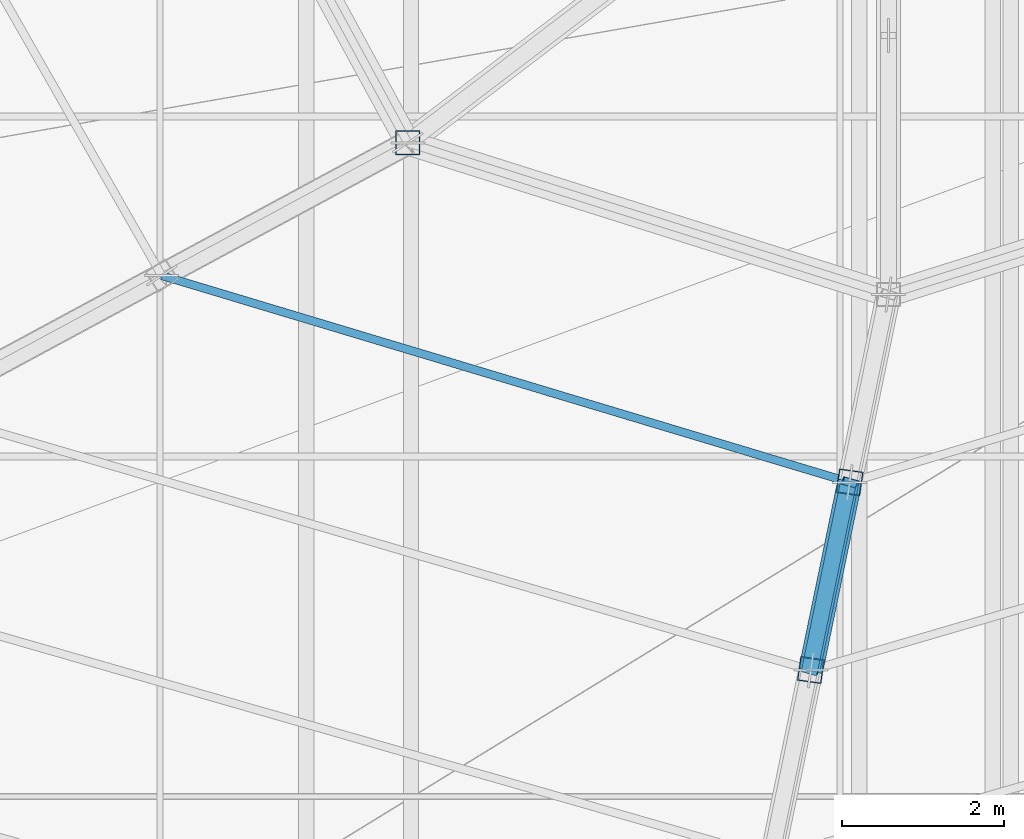
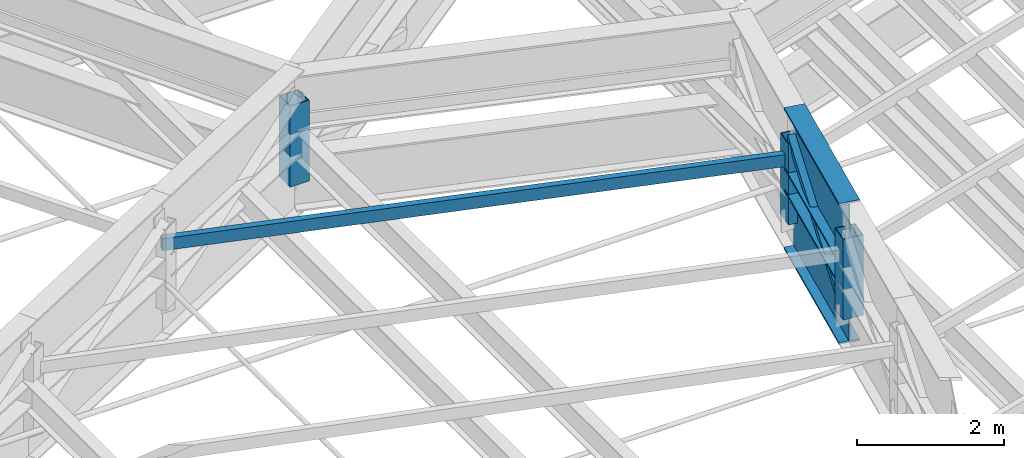
# One storey, part 53 of 184: 5 members, 2 beams.
"""IFC4 building model written with IfcOpenShell, lengths in metres."""

from ifc_helpers import new_model, si_unit, direction, frame, origin, origin_2d, place, context, subcontext, project, spatial, hollow_rectangle, i_section, extrude, material, material_profile, profile_set, type_object, element, save


model = new_model("IFC4")

# Units and contexts
model_context = context("Model", 3, precision=1e-05, world=origin(), true_north=direction((0.0, 1.0)))
body_context = subcontext(model_context, "Body", "Model", "MODEL_VIEW")
ifc_project = project(units=[si_unit("LENGTHUNIT", "METRE"), si_unit("AREAUNIT", "SQUARE_METRE"), si_unit("VOLUMEUNIT", "CUBIC_METRE"), si_unit("PLANEANGLEUNIT", "RADIAN"), si_unit("MASSUNIT", "GRAM", prefix="KILO")], contexts=[model_context])

# Site, building, storey
site_placement = place(None, origin())
site = spatial("IfcSite", under=ifc_project, at=site_placement, CompositionType="ELEMENT")
building_placement = place(site_placement, origin())
building = spatial("IfcBuilding", under=site, at=building_placement, Name="Kalgoora Escarpment Arena", CompositionType="ELEMENT")
storey_placement = place(building_placement, frame((0.0, 0.0, 27.60009765625)))
storey = spatial("IfcBuildingStorey", under=building, at=storey_placement, Name="Roof Level", CompositionType="ELEMENT", Elevation=27.60009765625)

# Beams
ifc_material_1 = material(Name="Structural steel Grade 350 (350 MPa)", Category="steel")
ifc_material_profile_1 = material_profile(ifc_material_1, i_section(OverallWidth=0.300048828125, OverallDepth=1.010009765625, WebThickness=0.01611328125, FlangeThickness=0.030029296875, at=origin_2d()))
ifc_profile_set_1 = profile_set([ifc_material_profile_1], Name="Structural steel Grade 350 (350 MPa)")
beam_type = type_object("IfcBeamType", Name="BM-TRUSS-CHORD", PredefinedType="USERDEFINED", material=ifc_profile_set_1)
for number, where, z_axis, x_axis, name in (
    (1, (96.237548828125, 52.9482421875, -1.610107421875), (0.202605139089, 0.979258172266, 0.002142350413), (-0.979260419507, 0.202605604036, 0.0), "Radial ROOF TRUSS spine 7 bottom chord 10"),
    (2, (96.237548828125, 52.9482421875, -0.27001953125), (0.202603831774, 0.979251853575, 0.004182657151), (-0.979260419507, 0.202605604036, 0.0), "Radial ROOF TRUSS spine 7 top chord 10"),
):
    element("IfcBeam", number, at=place(storey_placement, frame(where, z_axis=z_axis, x_axis=x_axis)), inside=storey, type_object=beam_type, Name=name, ObjectType="GIRDER", PredefinedType="USERDEFINED", context=body_context, shape_type="SweptSolid", body=[
        extrude(i_section(OverallWidth=0.300048828125, OverallDepth=1.010009765625, WebThickness=0.01611328125, FlangeThickness=0.030029296875, at=origin_2d()), origin(), (0.0, 0.0, 1.0), 2.39306640625),
    ])

# Members
ifc_material_2 = material(Name="Structural steel C350 (350 MPa)", Category="steel")
ifc_material_profile_2 = material_profile(ifc_material_2, hollow_rectangle(XDim=0.10009765625, YDim=0.199951171875, WallThickness=0.009033203125, at=origin_2d()))
ifc_profile_set_2 = profile_set([ifc_material_profile_2], Name="Structural steel C350 (350 MPa)")
member_type_1 = type_object("IfcMemberType", Name="MEM-PURLIN-RHS", PredefinedType="PURLIN", material=ifc_profile_set_2)
member_1_placement = place(storey_placement, frame((88.220703125, 57.833984375, -0.610107421875), z_axis=(0.957696715528, -0.28777943128, 0.0), x_axis=(0.28777943128, 0.957696715528, 0.0)))
element("IfcMember", 3, at=member_1_placement, inside=storey, type_object=member_type_1, Name="Roof circumferential purlin ring 10 sector 6", PredefinedType="PURLIN", context=body_context, shape_type="SweptSolid", body=[
    extrude(hollow_rectangle(XDim=0.10009765625, YDim=0.199951171875, WallThickness=0.009033203125, at=origin_2d()), origin(), (0.0, 0.0, 1.0), 8.874755859375),
])
ifc_material_3 = material(Name="Structural steel C350 (350 MPa)", Category="steel")
ifc_material_profile_3 = material_profile(ifc_material_3, hollow_rectangle(XDim=0.199951171875, YDim=0.199951171875, WallThickness=0.009033203125, at=origin_2d()))
ifc_profile_set_3 = profile_set([ifc_material_profile_3], Name="Structural steel C350 (350 MPa)")
member_type_2 = type_object("IfcMemberType", Name="MEM-TRUSS-DIAG", PredefinedType="BRACE", material=ifc_profile_set_3)
member_2_placement = place(storey_placement, frame((96.239990234375, 52.9599609375, -1.610107421875), z_axis=(0.176018332047, 0.850814959026, 0.49510751588), x_axis=(-0.237783723837, -0.451317345483, 0.860099735115)))
element("IfcMember", 4, at=member_2_placement, inside=storey, type_object=member_type_2, Name="Radial ROOF TRUSS spine 7 web diagonal 10", PredefinedType="BRACE", context=body_context, shape_type="SweptSolid", body=[
    extrude(hollow_rectangle(XDim=0.199951171875, YDim=0.199951171875, WallThickness=0.009033203125, at=origin_2d()), origin(), (0.0, 0.0, 1.0), 2.726806640625),
])
ifc_material_4 = material(Name="Structural steel C450 (450 MPa)", Category="steel")
ifc_material_profile_4 = material_profile(ifc_material_4, hollow_rectangle(XDim=0.300048828125, YDim=0.300048828125, WallThickness=0.012451171875, at=origin_2d()))
ifc_profile_set_4 = profile_set([ifc_material_profile_4], Name="Structural steel C450 (450 MPa)")
member_type_3 = type_object("IfcMemberType", Name="MEM-TRUSS-POST", PredefinedType="POST", material=ifc_profile_set_4)
member_3_placement = place(storey_placement, frame((91.26025390625, 59.474609375, -1.60009765625), z_axis=(0.0, 0.0, 1.0), x_axis=(1.0, 0.0, 0.0)))
element("IfcMember", 5, at=member_3_placement, inside=storey, type_object=member_type_3, Name="Central ROOF TRUSS hub post 6", PredefinedType="POST", context=body_context, shape_type="SweptSolid", body=[
    extrude(hollow_rectangle(XDim=0.300048828125, YDim=0.300048828125, WallThickness=0.012451171875, at=origin_2d()), origin(), (0.0, 0.0, 1.0), 1.35009765625),
])
member_4_placement = place(storey_placement, frame((96.239990234375, 52.9599609375, -1.610107421875), z_axis=(0.0, 0.0, 1.0), x_axis=(0.141419587774, 0.989949746297, 0.0)))
element("IfcMember", 6, at=member_4_placement, inside=storey, type_object=member_type_3, Name="Radial ROOF TRUSS spine 7 post 9", PredefinedType="POST", context=body_context, shape_type="SweptSolid", body=[
    extrude(hollow_rectangle(XDim=0.300048828125, YDim=0.300048828125, WallThickness=0.012451171875, at=origin_2d()), origin(), (0.0, 0.0, 1.0), 1.340087890625),
])
member_5_placement = place(storey_placement, frame((96.719970703125, 55.280029296875, -1.60498046875), z_axis=(0.0, 0.0, 1.0), x_axis=(0.141419587774, 0.989949746297, 0.0)))
element("IfcMember", 7, at=member_5_placement, inside=storey, type_object=member_type_3, Name="Radial ROOF TRUSS spine 7 post 10", PredefinedType="POST", context=body_context, shape_type="SweptSolid", body=[
    extrude(hollow_rectangle(XDim=0.300048828125, YDim=0.300048828125, WallThickness=0.012451171875, at=origin_2d()), origin(), (0.0, 0.0, 1.0), 1.344970703125),
])

save(model, "model.ifc")
